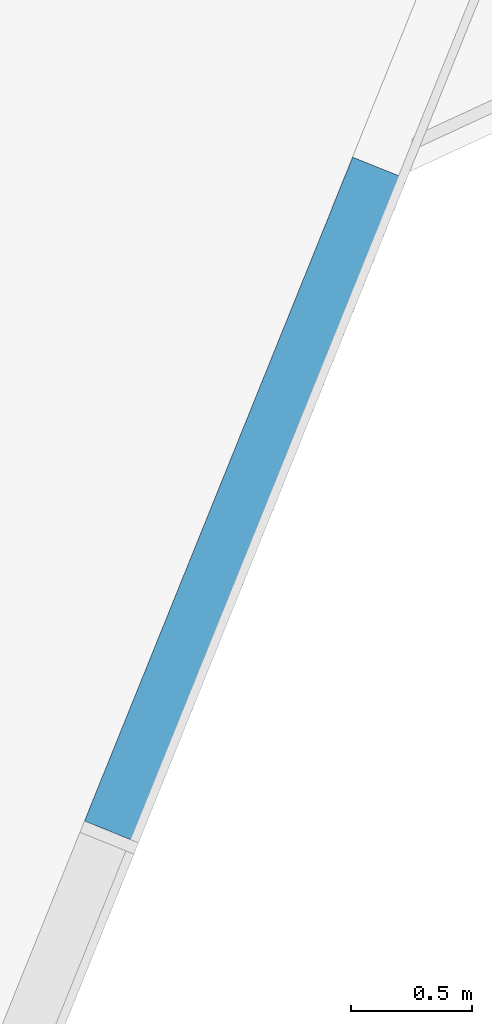
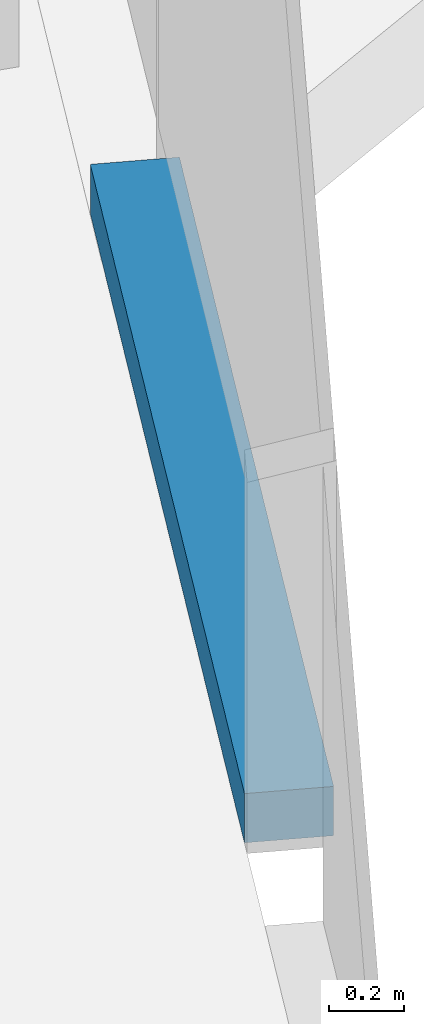
# One storey, part 5 of 26: 1 member, 1 element without a shape of its own.
"""IFC4 building model written with IfcOpenShell, lengths in metres."""

from ifc_helpers import new_model, si_unit, direction, frame, origin, origin_2d, place, context, subcontext, project, spatial, rectangle, extrude, material, material_profile, profile_set, type_object, element, aggregate, save


model = new_model("IFC4")

# Units and contexts
model_context = context("Model", 3, precision=1e-05, world=origin(), true_north=direction((0.0, 1.0)))
body_context = subcontext(model_context, "Body", "Model", "MODEL_VIEW")
ifc_project = project(units=[si_unit("LENGTHUNIT", "METRE"), si_unit("AREAUNIT", "SQUARE_METRE"), si_unit("VOLUMEUNIT", "CUBIC_METRE"), si_unit("PLANEANGLEUNIT", "RADIAN"), si_unit("MASSUNIT", "GRAM", prefix="KILO")], contexts=[model_context])

# Site, building, storey
site_placement = place(None, origin())
site = spatial("IfcSite", under=ifc_project, at=site_placement, CompositionType="ELEMENT")
building_placement = place(site_placement, origin())
building = spatial("IfcBuilding", under=site, at=building_placement, Name="Orlundy Tower", CompositionType="ELEMENT")
storey_placement = place(building_placement, frame((0.0, 0.0, 275.39990234375)))
storey = spatial("IfcBuildingStorey", under=building, at=storey_placement, Name="L73", CompositionType="ELEMENT", Elevation=275.39990234375)

# Curtain wall, member
ifc_material_1 = material(Name="Aluminium bronze anodised", Category="aluminium")
curtain_wall_type = type_object("IfcCurtainWallType", Name="CW6 wall", PredefinedType="NOTDEFINED", material=ifc_material_1)
curtain_wall_placement = place(storey_placement, origin())
curtain_wall = element("IfcCurtainWall", 1, at=curtain_wall_placement, inside=storey, type_object=curtain_wall_type, Name="CW6 run 01", PredefinedType="NOTDEFINED")
ifc_material_2 = material(Name="Aluminium bronze anodised", Category="aluminium")
ifc_material_profile = material_profile(ifc_material_2, rectangle(XDim=0.239990234375, YDim=0.159912109375, at=origin_2d()), Name="CW6 transom 240x160")
ifc_profile_set = profile_set([ifc_material_profile], Name="Aluminium bronze anodised")
member_type = type_object("IfcMemberType", Name="CW6 transom 240x160", PredefinedType="USERDEFINED", material=ifc_profile_set)
member_placement = place(storey_placement, frame((29.040771484375, -8.52587890625, 0.080078125), z_axis=(-0.374599922936, -0.927186549588, 0.0), x_axis=(0.927186549588, -0.374599922936, 0.0)))
member = element("IfcMember", 2, at=member_placement, type_object=member_type, Name="CW6 transom", ObjectType="TRANSOM", PredefinedType="USERDEFINED", context=body_context, shape_type="SweptSolid", body=[
    extrude(rectangle(XDim=0.239990234375, YDim=0.159912109375, at=origin_2d()), origin(), (0.0, 0.0, 1.0), 2.94921875),
])
aggregate(curtain_wall, [member])

save(model, "model.ifc")
